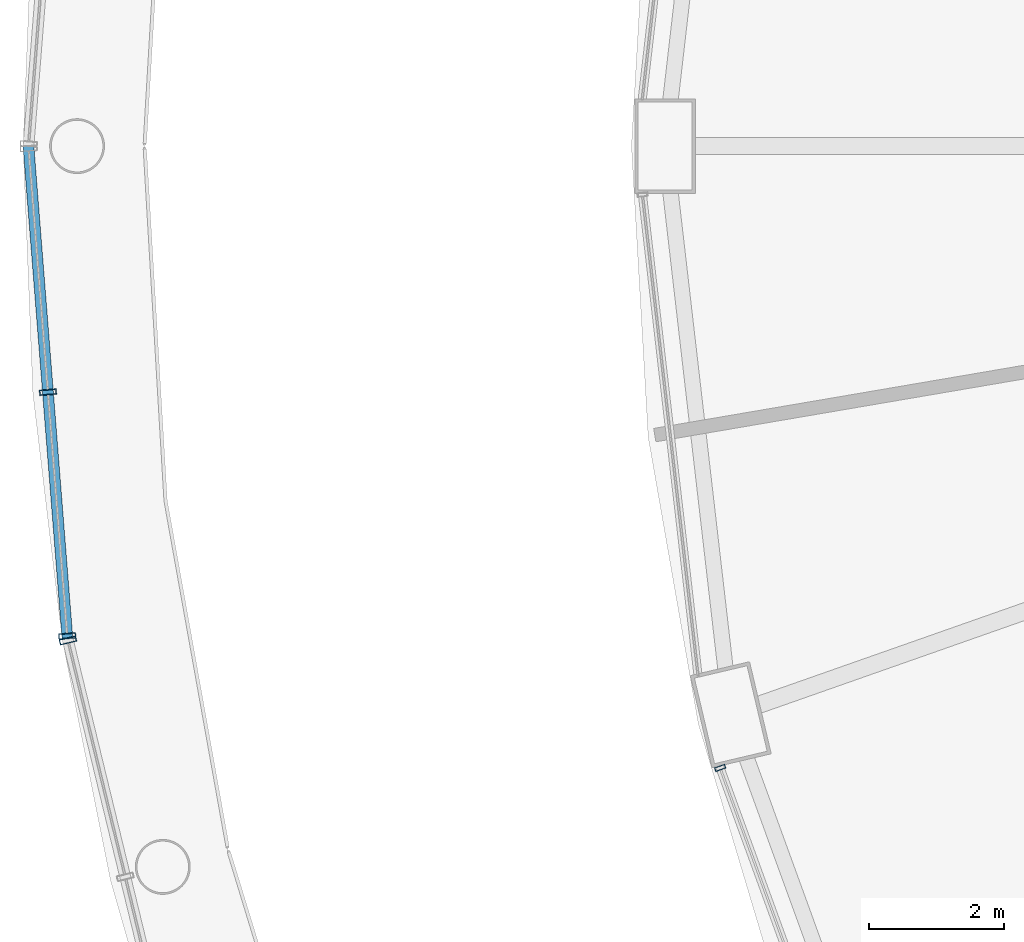
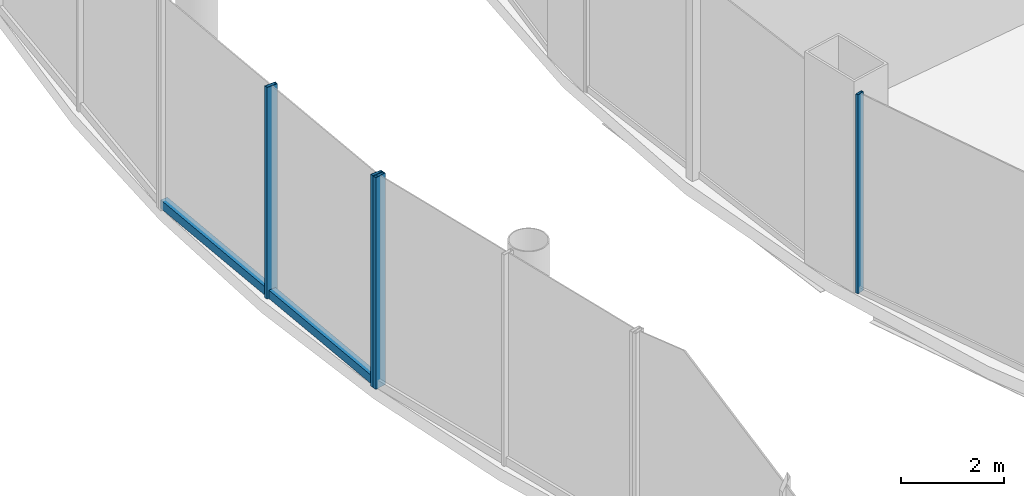
# One storey, part 16 of 48: 5 members, 3 elements without a shape of their own.
"""IFC4 building model written with IfcOpenShell, lengths in metres."""

import ifcopenshell
import ifcopenshell.guid

model = None  # the IFC model being written
_history = None  # IfcOwnerHistory: only IFC2X3 demands one
_inside = {}  # id of a spatial element -> (the spatial element, [elements in it])
_under = {}  # id of a project, library or spatial element -> (it, [spatial elements below it])
_declared = {}  # id of a project -> (the project, [libraries it declares])
_typed = {}  # id of a type object -> (the type object, [elements of that type])
_made_of = {}  # id of a material, layer set ... -> (it, [elements and type objects made of it])


def new_model(schema):
    """Start an empty IFC model of exactly this schema.

    Asked for "IFC4X3", IfcOpenShell would pick the latest addendum, in which some entities
    have other attributes; the version numbers below select the first issue.
    IFC2X3 requires an IfcOwnerHistory on every rooted entity: one is made here for all.
    """
    global model, _history
    if schema == "IFC4X3":
        model = ifcopenshell.file(schema_version=(4, 3, 0, 0))
    else:
        model = ifcopenshell.file(schema=schema)
    _inside.clear()
    _under.clear()
    _declared.clear()
    _typed.clear()
    _made_of.clear()
    _history = None
    if model.schema == "IFC2X3":
        org = make("IfcOrganization", Name="unknown")
        user = make(
            "IfcPersonAndOrganization",
            ThePerson=make("IfcPerson", FamilyName="unknown"),
            TheOrganization=org,
        )
        app = make(
            "IfcApplication",
            ApplicationDeveloper=org,
            Version="unknown",
            ApplicationFullName="unknown",
            ApplicationIdentifier="unknown",
        )
        _history = make(
            "IfcOwnerHistory",
            OwningUser=user,
            OwningApplication=app,
            ChangeAction="ADDED",
            CreationDate=0,
        )
    return model


def make(cls, **values):
    """One entity of the class cls with the attributes given. An attribute that is None is left unset."""
    return model.create_entity(
        cls, **{name: value for name, value in values.items() if value is not None}
    )


def rooted(cls, **values):
    """An entity with a GlobalId (a new one), such as an element, a storey or a relation."""
    return make(cls, GlobalId=ifcopenshell.guid.new(), OwnerHistory=_history, **values)


def si_unit(unit_type, name, prefix=None):
    """IfcSIUnit, for example si_unit("LENGTHUNIT", "METRE", prefix="MILLI")."""
    return make("IfcSIUnit", UnitType=unit_type, Prefix=prefix, Name=name)


def assignment(units):
    """IfcUnitAssignment: the units of a project."""
    return None if units is None else make("IfcUnitAssignment", Units=units)


def point(xyz):
    """IfcCartesianPoint."""
    return None if xyz is None else make("IfcCartesianPoint", Coordinates=xyz)


def direction(xyz):
    """IfcDirection."""
    return None if xyz is None else make("IfcDirection", DirectionRatios=xyz)


def frame(location, z_axis=None, x_axis=None):
    """IfcAxis2Placement3D, a coordinate frame: its origin and axes. An axis left out is left unset."""
    return make(
        "IfcAxis2Placement3D",
        Location=point(location),
        Axis=direction(z_axis),
        RefDirection=direction(x_axis),
    )


def frame_2d(location, x_axis=None):
    """IfcAxis2Placement2D, a coordinate frame in the plane: its origin and x axis."""
    return make(
        "IfcAxis2Placement2D", Location=point(location), RefDirection=direction(x_axis)
    )


def origin():
    """The frame at (0, 0, 0) with its axes left unset."""
    return frame((0.0, 0.0, 0.0))


def origin_2d():
    """The frame at (0, 0) in the plane with its x axis left unset."""
    return frame_2d((0.0, 0.0))


def place(relative_to, where):
    """IfcLocalPlacement: puts the frame where relative to a parent placement (None: the world)."""
    return make(
        "IfcLocalPlacement", PlacementRelTo=relative_to, RelativePlacement=where
    )


def context(
    kind, dimensions, precision=None, world=None, true_north=None, identifier=None
):
    """IfcGeometricRepresentationContext, for example the 3D "Model" context."""
    return make(
        "IfcGeometricRepresentationContext",
        ContextIdentifier=identifier,
        ContextType=kind,
        CoordinateSpaceDimension=dimensions,
        Precision=precision,
        WorldCoordinateSystem=world,
        TrueNorth=true_north,
    )


def subcontext(parent, identifier, kind, view, scale=None):
    """IfcGeometricRepresentationSubContext, for example "Body" below "Model"."""
    return make(
        "IfcGeometricRepresentationSubContext",
        ContextIdentifier=identifier,
        ContextType=kind,
        ParentContext=parent,
        TargetScale=scale,
        TargetView=view,
    )


def project(units=None, contexts=None):
    """IfcProject with its units and contexts."""
    return rooted(
        "IfcProject",
        Name="project",
        RepresentationContexts=contexts,
        UnitsInContext=assignment(units),
    )


def spatial(cls, under=None, at=None, **own):
    """A site, building, storey or space (cls), placed at a placement, below another one or the project."""
    s = rooted(cls, ObjectPlacement=at, **own)
    if under is not None:
        _under.setdefault(under.id(), (under, []))[1].append(s)
    return s


def profile(cls, at=None, kind="AREA", **sizes):
    """A parametric profile (cls). Its sizes go by their IFC names, for example OverallWidth=200.0."""
    return make(cls, ProfileType=kind, Position=at, **sizes)


def hollow_rectangle(**sizes):
    """IfcRectangleHollowProfileDef."""
    return profile("IfcRectangleHollowProfileDef", **sizes)


def extrude(swept, where, along, depth):
    """IfcExtrudedAreaSolid: the profile swept, set in the frame where, extruded along a direction by depth."""
    return make(
        "IfcExtrudedAreaSolid",
        SweptArea=swept,
        Position=where,
        ExtrudedDirection=direction(along),
        Depth=depth,
    )


def shape(context_of_items, identifier, shape_type, items):
    """IfcShapeRepresentation: the items that make up one representation, for example the "Body"."""
    return make(
        "IfcShapeRepresentation",
        ContextOfItems=context_of_items,
        RepresentationIdentifier=identifier,
        RepresentationType=shape_type,
        Items=items,
    )


def material(Name=None, Category=None):
    """IfcMaterial."""
    return make("IfcMaterial", Name=Name, Category=Category)


def layer(
    of_material, thickness, ventilated=None, Name=None, Category=None, Priority=None
):
    """IfcMaterialLayer: one layer of a wall or slab, of a material (None: an air gap)."""
    return make(
        "IfcMaterialLayer",
        Material=of_material,
        LayerThickness=thickness,
        IsVentilated=ventilated,
        Name=Name,
        Category=Category,
        Priority=Priority,
    )


def layer_set(layers, Name=None):
    """IfcMaterialLayerSet."""
    return make("IfcMaterialLayerSet", MaterialLayers=layers, LayerSetName=Name)


def material_profile(
    of_material, cross_section, Name=None, Category=None, Priority=None
):
    """IfcMaterialProfile: a cross section and its material."""
    return make(
        "IfcMaterialProfile",
        Name=Name,
        Material=of_material,
        Profile=cross_section,
        Priority=Priority,
        Category=Category,
    )


def profile_set(profiles, Name=None, composite=None):
    """IfcMaterialProfileSet."""
    return make(
        "IfcMaterialProfileSet",
        Name=Name,
        MaterialProfiles=profiles,
        CompositeProfile=composite,
    )


def made_of(thing, what):
    """Note that an element or type object is made of a material, layer set ...; save() writes the relation."""
    if what is not None:
        _made_of.setdefault(what.id(), (what, []))[1].append(thing)
    return thing


def type_object(cls, material=None, **own):
    """A type object (cls), such as IfcWallType, which elements share."""
    return made_of(rooted(cls, **own), material)


def element(
    cls,
    number,
    at=None,
    inside=None,
    cuts=None,
    type_object=None,
    material=None,
    context=None,
    identifier="Body",
    shape_type=None,
    held_by="IfcProductDefinitionShape",
    body=None,
    shapes=None,
    **own,
):
    """One element of the class cls, such as IfcWall. Its Tag is "e" and its number.

    at: its placement. inside: the storey or other place that contains it. cuts: it is an
    opening in that element (IfcRelVoidsElement). A single representation is given by context,
    identifier, shape_type and body (its items); several are given by shapes. held_by: the class
    of the entity that holds the representations. save() writes the other relations.
    """
    e = rooted(cls, Tag="e%d" % number, ObjectPlacement=at, **own)
    if body is not None:
        shapes = [shape(context, identifier, shape_type, body)]
    if shapes is not None:
        e.Representation = make(held_by, Representations=shapes)
    if inside is not None:
        _inside.setdefault(inside.id(), (inside, []))[1].append(e)
    if cuts is not None:
        rooted(
            "IfcRelVoidsElement", RelatingBuildingElement=cuts, RelatedOpeningElement=e
        )
    if type_object is not None:
        _typed.setdefault(type_object.id(), (type_object, []))[1].append(e)
    return made_of(e, material)


def aggregate(whole, parts):
    """IfcRelAggregates: a whole, such as a stair, and the parts it consists of."""
    return rooted("IfcRelAggregates", RelatingObject=whole, RelatedObjects=parts)


def save(model, path):
    """Write the relations noted so far, then the file.

    IfcRelAggregates (storeys below a building ...), IfcRelContainedInSpatialStructure (elements
    in a storey), IfcRelDefinesByType, IfcRelAssociatesMaterial and IfcRelDeclares: one each for
    every whole, place, type object, material and project.
    """
    for whole, parts in _under.values():
        aggregate(whole, parts)
    for where, things in _inside.values():
        rooted(
            "IfcRelContainedInSpatialStructure",
            RelatedElements=things,
            RelatingStructure=where,
        )
    for kind, things in _typed.values():
        rooted("IfcRelDefinesByType", RelatedObjects=things, RelatingType=kind)
    for what, things in _made_of.values():
        rooted("IfcRelAssociatesMaterial", RelatedObjects=things, RelatingMaterial=what)
    for by, libraries in _declared.values():
        rooted("IfcRelDeclares", RelatingContext=by, RelatedDefinitions=libraries)
    model.write(path)


model = new_model("IFC4")

# Units and contexts
model_context = context("Model", 3, precision=1e-05, world=origin(), true_north=direction((0.0, 1.0)))
body_context = subcontext(model_context, "Body", "Model", "MODEL_VIEW")
ifc_project = project(units=[si_unit("LENGTHUNIT", "METRE"), si_unit("AREAUNIT", "SQUARE_METRE"), si_unit("VOLUMEUNIT", "CUBIC_METRE"), si_unit("PLANEANGLEUNIT", "RADIAN"), si_unit("MASSUNIT", "GRAM", prefix="KILO")], contexts=[model_context])

# Site, building, storey
site_placement = place(None, origin())
site = spatial("IfcSite", under=ifc_project, at=site_placement, CompositionType="ELEMENT")
building_placement = place(site_placement, origin())
building = spatial("IfcBuilding", under=site, at=building_placement, Name="Nagisa Residences", CompositionType="ELEMENT")
storey_placement = place(building_placement, frame((0.0, 0.0, 12.0)))
storey = spatial("IfcBuildingStorey", under=building, at=storey_placement, Name="L02", CompositionType="ELEMENT", Elevation=12.0)

# Curtain wall, members
ifc_material_1 = material(Name="Stainless steel curtain wall system", Category="steel")
ifc_layer_1 = layer(ifc_material_1, 0.159912109375)
ifc_layer_set_1 = layer_set([ifc_layer_1], Name="CW3 CURTAIN WALL")
curtain_wall_type_1 = type_object("IfcCurtainWallType", Name="CW3 CURTAIN WALL", PredefinedType="NOTDEFINED", material=ifc_layer_set_1)
curtain_wall_1_placement = place(storey_placement, origin())
curtain_wall_1 = element("IfcCurtainWall", 1, at=curtain_wall_1_placement, inside=storey, type_object=curtain_wall_type_1, Name="cw:CW3:L02:18", PredefinedType="NOTDEFINED")
ifc_material_2 = material(Name="Stainless steel", Category="steel")
ifc_material_profile_1 = material_profile(ifc_material_2, hollow_rectangle(XDim=0.25, YDim=0.080078125, WallThickness=0.008056640625, at=origin_2d()), Name="CW3 MULLION 250x80")
ifc_profile_set_1 = profile_set([ifc_material_profile_1], Name="Stainless steel")
member_type_1 = type_object("IfcMemberType", Name="CW3 MULLION 250x80", PredefinedType="MULLION", material=ifc_profile_set_1)
member_1_placement = place(storey_placement, frame((-34.031494140625, -3.640380859375, 0.0), z_axis=(0.0, 0.0, 1.0), x_axis=(0.996881777235, 0.078909582539, 0.0)))
member_1 = element("IfcMember", 2, at=member_1_placement, type_object=member_type_1, Name="CW3 mullion", PredefinedType="MULLION", context=body_context, shape_type="SweptSolid", body=[
    extrude(hollow_rectangle(XDim=0.25, YDim=0.080078125, WallThickness=0.008056640625, at=origin_2d()), origin(), (0.0, 0.0, 1.0), 5.0),
])
member_2_placement = place(storey_placement, frame((-33.74609375, -7.2470703125, 0.0), z_axis=(0.0, 0.0, 1.0), x_axis=(0.996881777235, 0.078909582539, 0.0)))
member_2 = element("IfcMember", 3, at=member_2_placement, type_object=member_type_1, Name="CW3 mullion", PredefinedType="MULLION", context=body_context, shape_type="SweptSolid", body=[
    extrude(hollow_rectangle(XDim=0.25, YDim=0.080078125, WallThickness=0.008056640625, at=origin_2d()), origin(), (0.0, 0.0, 1.0), 5.0),
])

# Curtain wall, member
curtain_wall_2_placement = place(storey_placement, origin())
curtain_wall_2 = element("IfcCurtainWall", 4, at=curtain_wall_2_placement, inside=storey, type_object=curtain_wall_type_1, Name="cw:CW3:L02:19", PredefinedType="NOTDEFINED")
member_3_placement = place(storey_placement, frame((-33.735595703125, -7.313232421875, 0.0), z_axis=(0.0, 0.0, 1.0), x_axis=(0.971848775146, 0.235605514043, 0.0)))
member_3 = element("IfcMember", 5, at=member_3_placement, type_object=member_type_1, Name="CW3 mullion", PredefinedType="MULLION", context=body_context, shape_type="SweptSolid", body=[
    extrude(hollow_rectangle(XDim=0.25, YDim=0.080078125, WallThickness=0.008056640625, at=origin_2d()), origin(), (0.0, 0.0, 1.0), 5.0),
])
aggregate(curtain_wall_2, [member_3])

# Member
ifc_material_3 = material(Name="Stainless steel", Category="steel")
ifc_material_profile_2 = material_profile(ifc_material_3, hollow_rectangle(XDim=0.159912109375, YDim=0.199951171875, WallThickness=0.008056640625, at=origin_2d()), Name="CW3 TRANSOM 160x200")
ifc_profile_set_2 = profile_set([ifc_material_profile_2], Name="Stainless steel")
member_type_2 = type_object("IfcMemberType", Name="CW3 TRANSOM 160x200", PredefinedType="USERDEFINED", material=ifc_profile_set_2)
member_4_placement = place(storey_placement, frame((-34.3203125, 0.00634765625, 0.10009765625), z_axis=(0.078921540002, -0.996880830653, 0.0), x_axis=(0.996880830653, 0.078921540002, 0.0)))
member_4 = element("IfcMember", 6, at=member_4_placement, type_object=member_type_2, Name="CW3 transom", ObjectType="TRANSOM", PredefinedType="USERDEFINED", context=body_context, shape_type="SweptSolid", body=[
    extrude(hollow_rectangle(XDim=0.159912109375, YDim=0.199951171875, WallThickness=0.008056640625, at=origin_2d()), origin(), (0.0, 0.0, 1.0), 7.31591796875),
])

aggregate(curtain_wall_1, [member_1, member_2, member_4])

# Curtain wall, member
ifc_material_4 = material(Name="Stainless steel curtain wall system", Category="steel")
ifc_layer_2 = layer(ifc_material_4, 0.159912109375)
ifc_layer_set_2 = layer_set([ifc_layer_2], Name="CW6 CURTAIN WALL")
curtain_wall_type_2 = type_object("IfcCurtainWallType", Name="CW6 CURTAIN WALL", PredefinedType="NOTDEFINED", material=ifc_layer_set_2)
curtain_wall_3_placement = place(storey_placement, origin())
curtain_wall_3 = element("IfcCurtainWall", 7, at=curtain_wall_3_placement, inside=storey, type_object=curtain_wall_type_2, Name="cw:CW6:L02:26", PredefinedType="NOTDEFINED")
ifc_material_5 = material(Name="Stainless steel", Category="steel")
ifc_material_profile_3 = material_profile(ifc_material_5, hollow_rectangle(XDim=0.159912109375, YDim=0.06005859375, WallThickness=0.006103515625, at=origin_2d()), Name="CW6 MULLION 160x60")
ifc_profile_set_3 = profile_set([ifc_material_profile_3], Name="Stainless steel")
member_type_3 = type_object("IfcMemberType", Name="CW6 MULLION 160x60", PredefinedType="MULLION", material=ifc_profile_set_3)
member_5_placement = place(storey_placement, frame((-24.0869140625, -9.19970703125, 0.0), z_axis=(0.0, 0.0, 1.0), x_axis=(0.939681861718, 0.342049702176, 0.0)))
member_5 = element("IfcMember", 8, at=member_5_placement, type_object=member_type_3, Name="CW6 mullion", PredefinedType="MULLION", context=body_context, shape_type="SweptSolid", body=[
    extrude(hollow_rectangle(XDim=0.159912109375, YDim=0.06005859375, WallThickness=0.006103515625, at=origin_2d()), origin(), (0.0, 0.0, 1.0), 4.699951171875),
])
aggregate(curtain_wall_3, [member_5])

save(model, "model.ifc")
